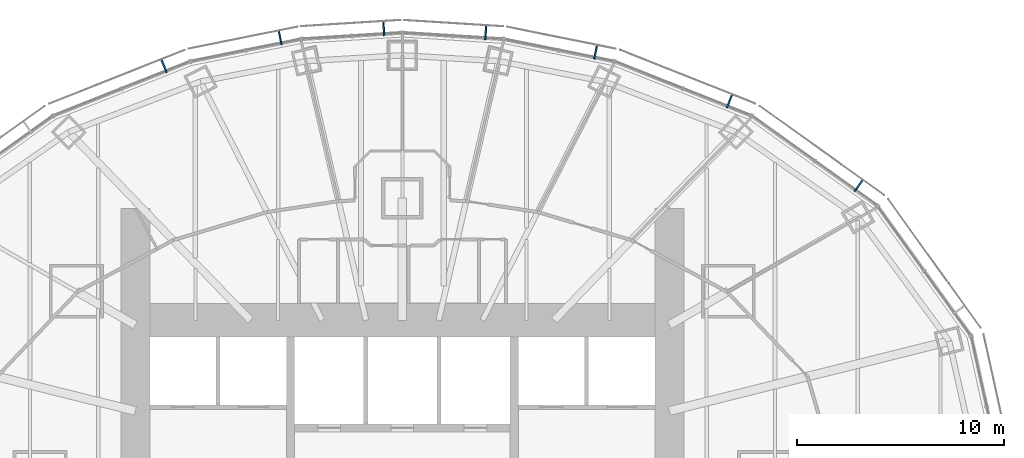
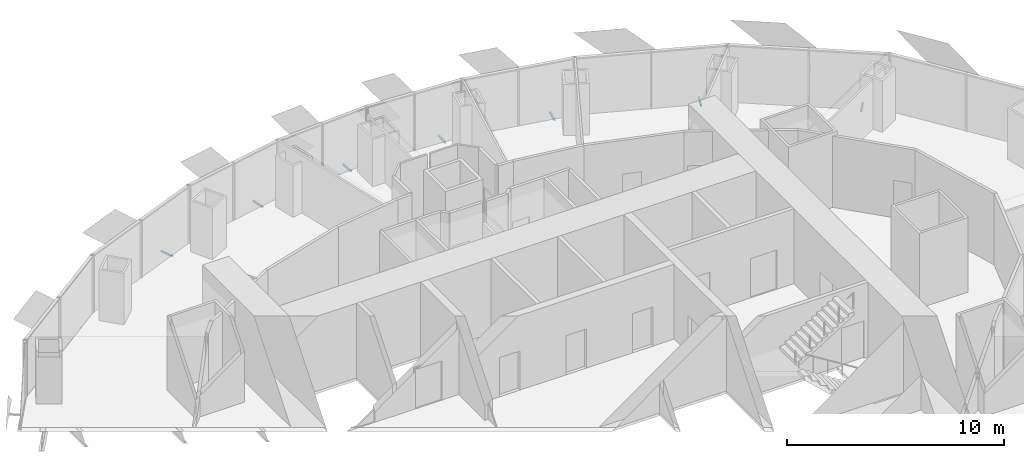
# One storey, part 15 of 18: 7 discrete accessories.
"""IFC4 building model written with IfcOpenShell, lengths in metres."""

from ifc_helpers import new_model, si_unit, direction, frame, origin, origin_2d, place, context, subcontext, project, spatial, rectangle, extrude, element, save


model = new_model("IFC4")

# Units and contexts
model_context = context("Model", 3, precision=1e-05, world=origin(), true_north=direction((0.0, 1.0)))
body_context = subcontext(model_context, "Body", "Model", "MODEL_VIEW")
ifc_project = project(units=[si_unit("LENGTHUNIT", "METRE"), si_unit("AREAUNIT", "SQUARE_METRE"), si_unit("VOLUMEUNIT", "CUBIC_METRE"), si_unit("PLANEANGLEUNIT", "RADIAN"), si_unit("MASSUNIT", "GRAM", prefix="KILO")], contexts=[model_context])

# Site, building, storey
site_placement = place(None, origin())
site = spatial("IfcSite", under=ifc_project, at=site_placement, CompositionType="ELEMENT")
building_placement = place(site_placement, origin())
building = spatial("IfcBuilding", under=site, at=building_placement, Name="Lantaw Convention Tower", CompositionType="ELEMENT")
storey_placement = place(building_placement, frame((0.0, 0.0, 188.800048828125)))
storey = spatial("IfcBuildingStorey", under=building, at=storey_placement, Name="L44", CompositionType="ELEMENT", Elevation=188.800048828125)

# Discrete accessories
for number, where, z_axis, x_axis, name in (
    (1, (22.044189453125, 14.10546875, -0.114990234375), (0.0, 0.0, 1.0), (-0.813208325995, 0.581972695693, 0.0), "Screen bracket"),
    (2, (15.802978515625, 18.18798828125, -0.114990234375), (0.0, 0.0, 1.0), (-0.929547687544, 0.368701907483, 0.0), "Screen bracket"),
    (3, (9.339599609375, 20.56005859375, -0.114990234375), (0.0, 0.0, 1.0), (-0.980301514912, 0.197506809659, 0.0), "Screen bracket"),
    (4, (4.027099609375, 21.505859375, -0.114990234375), (0.0, 0.0, 1.0), (-0.998022035978, 0.062865059466, 0.0), "Screen bracket"),
    (5, (-0.89794921875, 21.702880859375, -0.114990234375), (0.0, 0.0, 1.0), (-0.998022035978, -0.062865059466, 0.0), "Screen bracket"),
    (6, (-5.903076171875, 21.25244140625, -0.114990234375), (0.0, 0.0, 1.0), (-0.980301514912, -0.197506809659, 0.0), "Screen bracket"),
    (7, (-11.517822265625, 19.887939453125, -0.114990234375), (0.0, 0.0, 1.0), (-0.929547687544, -0.368701907483, 0.0), "Screen bracket"),
):
    element("IfcDiscreteAccessory", number, at=place(storey_placement, frame(where, z_axis=z_axis, x_axis=x_axis)), inside=storey, Name=name, PredefinedType="BRACKET", context=body_context, shape_type="SweptSolid", body=[
        extrude(rectangle(XDim=0.080078125, YDim=0.68798828125, at=origin_2d()), origin(), (0.0, 0.0, 1.0), 0.080078125),
    ])

save(model, "model.ifc")
